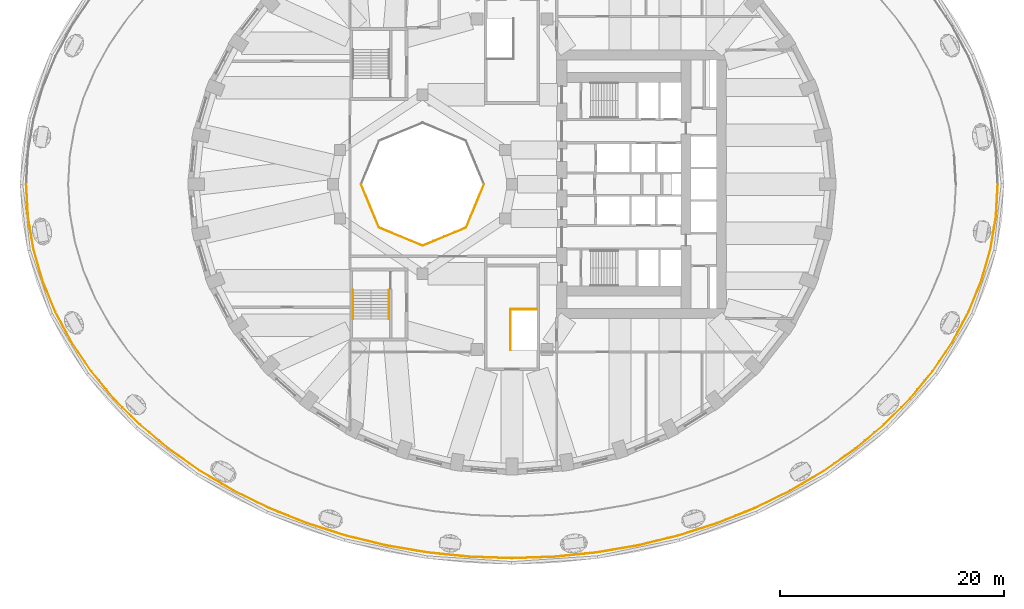
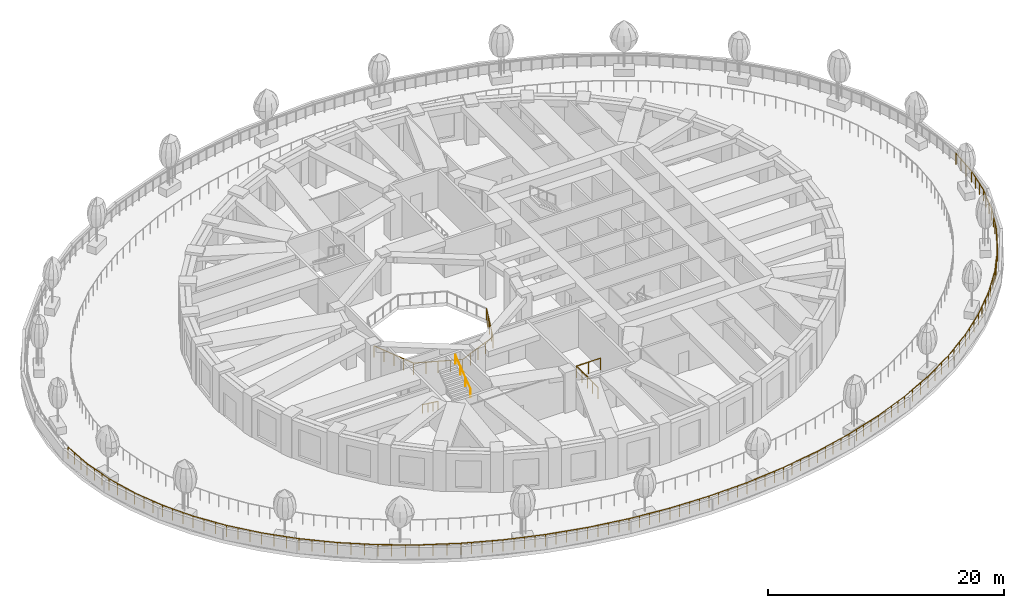
# One storey, part 10 of 17: 5 railings.
"""IFC4 building model written with IfcOpenShell, lengths in metres."""

from ifc_helpers import new_model, si_unit, direction, frame, origin, origin_2d, place, context, subcontext, project, spatial, circle, extrude, material, type_object, element, save


model = new_model("IFC4")

# Units and contexts
model_context = context("Model", 3, precision=1e-05, world=origin(), true_north=direction((0.0, 1.0)))
body_context = subcontext(model_context, "Body", "Model", "MODEL_VIEW")
ifc_project = project(units=[si_unit("LENGTHUNIT", "METRE"), si_unit("AREAUNIT", "SQUARE_METRE"), si_unit("VOLUMEUNIT", "CUBIC_METRE"), si_unit("PLANEANGLEUNIT", "RADIAN"), si_unit("MASSUNIT", "GRAM", prefix="KILO")], contexts=[model_context])

# Site, building, storey
site_placement = place(None, origin())
site = spatial("IfcSite", under=ifc_project, at=site_placement, CompositionType="ELEMENT")
building_placement = place(site_placement, origin())
building = spatial("IfcBuilding", under=site, at=building_placement, Name="Taillehof Tower", CompositionType="ELEMENT")
storey_placement = place(building_placement, frame((0.0, 0.0, 17.5)))
storey = spatial("IfcBuildingStorey", under=building, at=storey_placement, Name="L03", CompositionType="ELEMENT", Elevation=17.5)

# Railings
ifc_material_1 = material(Name="Stainless steel and laminated glass", Category="steel")
railing_type_1 = type_object("IfcRailingType", Name="Guard 1200 mm", PredefinedType="GUARDRAIL", material=ifc_material_1)
railing_1_placement = place(storey_placement, frame((-13.5, 0.0, 0.0)))
element("IfcRailing", 1, at=railing_1_placement, inside=storey, type_object=railing_type_1, Name="Guard atrium", PredefinedType="GUARDRAIL", context=body_context, shape_type="SweptSolid", body=[
    extrude(circle(Radius=0.02392578125, at=origin_2d()), frame((0.0, 0.0, 1.17578125), z_axis=(0.38266253946, -0.923888186359, 0.0), x_axis=(0.923888186359, 0.38266253946, 0.0)), (0.0, 0.0, 1.0), 4.20947265625),
    extrude(circle(Radius=0.02392578125, at=origin_2d()), frame((1.61083984375, -3.88916015625, 1.17578125), z_axis=(0.923888186359, -0.38266253946, 0.0), x_axis=(0.38266253946, 0.923888186359, 0.0)), (0.0, 0.0, 1.0), 4.20947265625),
    extrude(circle(Radius=0.02392578125, at=origin_2d()), frame((5.5, -5.5, 1.17578125), z_axis=(0.923888186359, 0.38266253946, 0.0), x_axis=(-0.38266253946, 0.923888186359, 0.0)), (0.0, 0.0, 1.0), 4.20947265625),
    extrude(circle(Radius=0.02392578125, at=origin_2d()), frame((9.38916015625, -3.88916015625, 1.17578125), z_axis=(0.38266253946, 0.923888186359, 0.0), x_axis=(-0.923888186359, 0.38266253946, 0.0)), (0.0, 0.0, 1.0), 4.20947265625),
    extrude(circle(Radius=0.02099609375, at=origin_2d()), origin(), (0.0, 0.0, 1.0), 1.15185546875),
    extrude(circle(Radius=0.02099609375, at=origin_2d()), frame((0.40283203125, -0.97216796875, 0.0)), (0.0, 0.0, 1.0), 1.15185546875),
    extrude(circle(Radius=0.02099609375, at=origin_2d()), frame((0.805419921875, -1.944580078125, 0.0)), (0.0, 0.0, 1.0), 1.15185546875),
    extrude(circle(Radius=0.02099609375, at=origin_2d()), frame((1.2080078125, -2.9169921875, 0.0)), (0.0, 0.0, 1.0), 1.15185546875),
    extrude(circle(Radius=0.02099609375, at=origin_2d()), frame((1.61083984375, -3.88916015625, 0.0)), (0.0, 0.0, 1.0), 1.15185546875),
    extrude(circle(Radius=0.02099609375, at=origin_2d()), frame((2.5830078125, -4.2919921875, 0.0)), (0.0, 0.0, 1.0), 1.15185546875),
    extrude(circle(Radius=0.02099609375, at=origin_2d()), frame((3.555419921875, -4.694580078125, 0.0)), (0.0, 0.0, 1.0), 1.15185546875),
    extrude(circle(Radius=0.02099609375, at=origin_2d()), frame((4.52783203125, -5.09716796875, 0.0)), (0.0, 0.0, 1.0), 1.15185546875),
    extrude(circle(Radius=0.02099609375, at=origin_2d()), frame((5.5, -5.5, 0.0)), (0.0, 0.0, 1.0), 1.15185546875),
    extrude(circle(Radius=0.02099609375, at=origin_2d()), frame((6.47216796875, -5.09716796875, 0.0)), (0.0, 0.0, 1.0), 1.15185546875),
    extrude(circle(Radius=0.02099609375, at=origin_2d()), frame((7.444580078125, -4.694580078125, 0.0)), (0.0, 0.0, 1.0), 1.15185546875),
    extrude(circle(Radius=0.02099609375, at=origin_2d()), frame((8.4169921875, -4.2919921875, 0.0)), (0.0, 0.0, 1.0), 1.15185546875),
    extrude(circle(Radius=0.02099609375, at=origin_2d()), frame((9.38916015625, -3.88916015625, 0.0)), (0.0, 0.0, 1.0), 1.15185546875),
    extrude(circle(Radius=0.02099609375, at=origin_2d()), frame((9.7919921875, -2.9169921875, 0.0)), (0.0, 0.0, 1.0), 1.15185546875),
    extrude(circle(Radius=0.02099609375, at=origin_2d()), frame((10.194580078125, -1.944580078125, 0.0)), (0.0, 0.0, 1.0), 1.15185546875),
    extrude(circle(Radius=0.02099609375, at=origin_2d()), frame((10.59716796875, -0.97216796875, 0.0)), (0.0, 0.0, 1.0), 1.15185546875),
    extrude(circle(Radius=0.02099609375, at=origin_2d()), frame((11.0, 0.0, 0.0)), (0.0, 0.0, 1.0), 1.15185546875),
])
railing_2_placement = place(storey_placement, frame((-0.125, -14.820068359375, 0.0)))
element("IfcRailing", 2, at=railing_2_placement, inside=storey, type_object=railing_type_1, Name="Guard P2", PredefinedType="GUARDRAIL", context=body_context, shape_type="SweptSolid", body=[
    extrude(circle(Radius=0.02392578125, at=origin_2d()), frame((0.0, 0.0, 1.17578125), z_axis=(0.0, 1.0, 0.0), x_axis=(-1.0, 0.0, 0.0)), (0.0, 0.0, 1.0), 3.64013671875),
    extrude(circle(Radius=0.02392578125, at=origin_2d()), frame((0.0, 3.64013671875, 1.17578125), z_axis=(1.0, 0.0, 0.0), x_axis=(0.0, 1.0, 0.0)), (0.0, 0.0, 1.0), 2.35009765625),
    extrude(circle(Radius=0.02099609375, at=origin_2d()), origin(), (0.0, 0.0, 1.0), 1.15185546875),
    extrude(circle(Radius=0.02099609375, at=origin_2d()), frame((0.0, 0.91015625, 0.0)), (0.0, 0.0, 1.0), 1.15185546875),
    extrude(circle(Radius=0.02099609375, at=origin_2d()), frame((0.0, 1.820068359375, 0.0)), (0.0, 0.0, 1.0), 1.15185546875),
    extrude(circle(Radius=0.02099609375, at=origin_2d()), frame((0.0, 2.72998046875, 0.0)), (0.0, 0.0, 1.0), 1.15185546875),
    extrude(circle(Radius=0.02099609375, at=origin_2d()), frame((0.0, 3.64013671875, 0.0)), (0.0, 0.0, 1.0), 1.15185546875),
    extrude(circle(Radius=0.02099609375, at=origin_2d()), frame((1.175048828125, 3.64013671875, 0.0)), (0.0, 0.0, 1.0), 1.15185546875),
    extrude(circle(Radius=0.02099609375, at=origin_2d()), frame((2.35009765625, 3.64013671875, 0.0)), (0.0, 0.0, 1.0), 1.15185546875),
])
ifc_material_2 = material(Name="Stainless steel", Category="steel")
railing_type_2 = type_object("IfcRailingType", Name="Stair handrail 900", PredefinedType="HANDRAIL", material=ifc_material_2)
railing_3_placement = place(storey_placement, frame((-14.199951171875, -9.449951171875, 0.19091796875)))
element("IfcRailing", 3, at=railing_3_placement, inside=storey, type_object=railing_type_2, Name="Stair S4 handrail", PredefinedType="HANDRAIL", context=body_context, shape_type="SweptSolid", body=[
    extrude(circle(Radius=0.02392578125, at=origin_2d()), frame((0.0, 0.0, 0.8759765625), z_axis=(0.0, -0.806043920681, 0.591855723918), x_axis=(1.0, 0.0, 0.0)), (0.0, 0.0, 1.0), 3.225830078125),
    extrude(circle(Radius=0.02099609375, at=origin_2d()), origin(), (0.0, 0.0, 1.0), 0.851806640625),
    extrude(circle(Radius=0.02099609375, at=origin_2d()), frame((0.0, -0.86669921875, 0.636474609375)), (0.0, 0.0, 1.0), 0.851806640625),
    extrude(circle(Radius=0.02099609375, at=origin_2d()), frame((0.0, -1.7333984375, 1.272705078125)), (0.0, 0.0, 1.0), 0.851806640625),
    extrude(circle(Radius=0.02099609375, at=origin_2d()), frame((0.0, -2.60009765625, 1.9091796875)), (0.0, 0.0, 1.0), 0.851806640625),
])
railing_4_placement = place(storey_placement, frame((-11.0, -12.050048828125, 2.291015625)))
element("IfcRailing", 4, at=railing_4_placement, inside=storey, type_object=railing_type_2, Name="Stair S4 handrail", PredefinedType="HANDRAIL", context=body_context, shape_type="SweptSolid", body=[
    extrude(circle(Radius=0.02392578125, at=origin_2d()), frame((0.0, 0.0, 0.8759765625), z_axis=(0.0, 0.806080027154, 0.591806547635), x_axis=(-1.0, 0.0, 0.0)), (0.0, 0.0, 1.0), 3.2255859375),
    extrude(circle(Radius=0.02099609375, at=origin_2d()), origin(), (0.0, 0.0, 1.0), 0.851806640625),
    extrude(circle(Radius=0.02099609375, at=origin_2d()), frame((0.0, 0.86669921875, 0.63623046875)), (0.0, 0.0, 1.0), 0.851806640625),
    extrude(circle(Radius=0.02099609375, at=origin_2d()), frame((0.0, 1.7333984375, 1.272705078125)), (0.0, 0.0, 1.0), 0.851806640625),
    extrude(circle(Radius=0.02099609375, at=origin_2d()), frame((0.0, 2.60009765625, 1.908935546875)), (0.0, 0.0, 1.0), 0.851806640625),
])
ifc_material_3 = material(Name="Stainless steel balustrade", Category="steel")
railing_type_3 = type_object("IfcRailingType", Name="Terrace guard 1200", PredefinedType="GUARDRAIL", material=ifc_material_3)
railing_5_placement = place(storey_placement, frame((-43.449951171875, 0.0, 0.0)))
element("IfcRailing", 5, at=railing_5_placement, inside=storey, type_object=railing_type_3, Name="Roof terrace guard", PredefinedType="GUARDRAIL", context=body_context, shape_type="SweptSolid", body=[
    extrude(circle(Radius=0.02392578125, at=origin_2d()), frame((0.0, 0.0, 1.17578125), z_axis=(0.056604518185, -0.998396678941, 0.0), x_axis=(0.998396678941, 0.056604518185, 0.0)), (0.0, 0.0, 1.0), 2.919921875),
    extrude(circle(Radius=0.02392578125, at=origin_2d()), frame((0.165283203125, -2.915283203125, 1.17578125), z_axis=(0.168592128928, -0.985685900307, 0.0), x_axis=(0.985685900307, 0.168592128928, 0.0)), (0.0, 0.0, 1.0), 2.935302734375),
    extrude(circle(Radius=0.02392578125, at=origin_2d()), frame((0.66015625, -5.80859375, 1.17578125), z_axis=(0.276700082454, -0.960956328024, 0.0), x_axis=(0.960956328024, 0.276700082454, 0.0)), (0.0, 0.0, 1.0), 2.964599609375),
    extrude(circle(Radius=0.02392578125, at=origin_2d()), frame((1.48046875, -8.657470703125, 1.17578125), z_axis=(0.379005788678, -0.925394300906, 0.0), x_axis=(0.925394300906, 0.379005788678, 0.0)), (0.0, 0.0, 1.0), 3.007568359375),
    extrude(circle(Radius=0.02392578125, at=origin_2d()), frame((2.620361328125, -11.440673828125, 1.17578125), z_axis=(0.473809688382, -0.880627264622, 0.0), x_axis=(0.880627264622, 0.473809688382, 0.0)), (0.0, 0.0, 1.0), 3.061279296875),
    extrude(circle(Radius=0.02392578125, at=origin_2d()), frame((4.07080078125, -14.136474609375, 1.17578125), z_axis=(0.560115441063, -0.828414565712, 0.0), x_axis=(0.828414565712, 0.560115441063, 0.0)), (0.0, 0.0, 1.0), 3.124755859375),
    extrude(circle(Radius=0.02392578125, at=origin_2d()), frame((5.821044921875, -16.72509765625, 1.17578125), z_axis=(0.637609943433, -0.770359370707, 0.0), x_axis=(0.770359370707, 0.637609943433, 0.0)), (0.0, 0.0, 1.0), 3.194580078125),
    extrude(circle(Radius=0.02392578125, at=origin_2d()), frame((7.85791015625, -19.18603515625, 1.17578125), z_axis=(0.705910705042, -0.708300837574, 0.0), x_axis=(0.708300837574, 0.705910705042, 0.0)), (0.0, 0.0, 1.0), 3.2685546875),
    extrude(circle(Radius=0.02392578125, at=origin_2d()), frame((10.165283203125, -21.501220703125, 1.17578125), z_axis=(0.765624333598, -0.643287944704, 0.0), x_axis=(0.643287944704, 0.765624333598, 0.0)), (0.0, 0.0, 1.0), 3.3447265625),
    extrude(circle(Radius=0.02392578125, at=origin_2d()), frame((12.72607421875, -23.65283203125, 1.17578125), z_axis=(0.817143897153, -0.576433735434, 0.0), x_axis=(0.576433735434, 0.817143897153, 0.0)), (0.0, 0.0, 1.0), 3.420166015625),
    extrude(circle(Radius=0.02392578125, at=origin_2d()), frame((15.520751953125, -25.624267578125, 1.17578125), z_axis=(0.861012792084, -0.508583298848, 0.0), x_axis=(0.508583298848, 0.861012792084, 0.0)), (0.0, 0.0, 1.0), 3.49267578125),
    extrude(circle(Radius=0.02392578125, at=origin_2d()), frame((18.528076171875, -27.400634765625, 1.17578125), z_axis=(0.897829307718, -0.440343654664, 0.0), x_axis=(0.440343654664, 0.897829307718, 0.0)), (0.0, 0.0, 1.0), 3.560546875),
    extrude(circle(Radius=0.02392578125, at=origin_2d()), frame((21.724853515625, -28.968505859375, 1.17578125), z_axis=(0.92823943797, -0.371983260104, 0.0), x_axis=(0.371983260104, 0.92823943797, 0.0)), (0.0, 0.0, 1.0), 3.622314453125),
    extrude(circle(Radius=0.02392578125, at=origin_2d()), frame((25.087158203125, -30.31591796875, 1.17578125), z_axis=(0.952733680398, -0.303806738298, 0.0), x_axis=(0.303806738298, 0.952733680398, 0.0)), (0.0, 0.0, 1.0), 3.67578125),
    extrude(circle(Radius=0.02392578125, at=origin_2d()), frame((28.589111328125, -31.4326171875, 1.17578125), z_axis=(0.971772190743, -0.235921192985, 0.0), x_axis=(0.235921192985, 0.971772190743, 0.0)), (0.0, 0.0, 1.0), 3.72021484375),
    extrude(circle(Radius=0.02392578125, at=origin_2d()), frame((32.204345703125, -32.310302734375, 1.17578125), z_axis=(0.985746685866, -0.168236355478, 0.0), x_axis=(0.168236355478, 0.985746685866, 0.0)), (0.0, 0.0, 1.0), 3.754150390625),
    extrude(circle(Radius=0.02392578125, at=origin_2d()), frame((35.905029296875, -32.94189453125, 1.17578125), z_axis=(0.994903841734, -0.100828298129, 0.0), x_axis=(0.100828298129, 0.994903841734, 0.0)), (0.0, 0.0, 1.0), 3.77734375),
    extrude(circle(Radius=0.02392578125, at=origin_2d()), frame((39.6630859375, -33.32275390625, 1.17578125), z_axis=(0.999436364215, -0.033570133825, 0.0), x_axis=(0.033570133825, 0.999436364215, 0.0)), (0.0, 0.0, 1.0), 3.7890625),
    extrude(circle(Radius=0.02392578125, at=origin_2d()), frame((43.449951171875, -33.449951171875, 1.17578125), z_axis=(0.999436364215, 0.033570133825, 0.0), x_axis=(-0.033570133825, 0.999436364215, 0.0)), (0.0, 0.0, 1.0), 3.7890625),
    extrude(circle(Radius=0.02392578125, at=origin_2d()), frame((47.23681640625, -33.32275390625, 1.17578125), z_axis=(0.994903841734, 0.100828298129, 0.0), x_axis=(-0.100828298129, 0.994903841734, 0.0)), (0.0, 0.0, 1.0), 3.77734375),
    extrude(circle(Radius=0.02392578125, at=origin_2d()), frame((50.994873046875, -32.94189453125, 1.17578125), z_axis=(0.985746685866, 0.168236355478, 0.0), x_axis=(-0.168236355478, 0.985746685866, 0.0)), (0.0, 0.0, 1.0), 3.754150390625),
    extrude(circle(Radius=0.02392578125, at=origin_2d()), frame((54.695556640625, -32.310302734375, 1.17578125), z_axis=(0.971772190743, 0.235921192985, 0.0), x_axis=(-0.235921192985, 0.971772190743, 0.0)), (0.0, 0.0, 1.0), 3.72021484375),
    extrude(circle(Radius=0.02392578125, at=origin_2d()), frame((58.310791015625, -31.4326171875, 1.17578125), z_axis=(0.952733680398, 0.303806738298, 0.0), x_axis=(-0.303806738298, 0.952733680398, 0.0)), (0.0, 0.0, 1.0), 3.67578125),
    extrude(circle(Radius=0.02392578125, at=origin_2d()), frame((61.812744140625, -30.31591796875, 1.17578125), z_axis=(0.92823943797, 0.371983260104, 0.0), x_axis=(-0.371983260104, 0.92823943797, 0.0)), (0.0, 0.0, 1.0), 3.622314453125),
    extrude(circle(Radius=0.02392578125, at=origin_2d()), frame((65.175048828125, -28.968505859375, 1.17578125), z_axis=(0.897829307718, 0.440343654664, 0.0), x_axis=(-0.440343654664, 0.897829307718, 0.0)), (0.0, 0.0, 1.0), 3.560546875),
    extrude(circle(Radius=0.02392578125, at=origin_2d()), frame((68.371826171875, -27.400634765625, 1.17578125), z_axis=(0.861012792084, 0.508583298848, 0.0), x_axis=(-0.508583298848, 0.861012792084, 0.0)), (0.0, 0.0, 1.0), 3.49267578125),
    extrude(circle(Radius=0.02392578125, at=origin_2d()), frame((71.379150390625, -25.624267578125, 1.17578125), z_axis=(0.817143897153, 0.576433735434, 0.0), x_axis=(-0.576433735434, 0.817143897153, 0.0)), (0.0, 0.0, 1.0), 3.420166015625),
    extrude(circle(Radius=0.02392578125, at=origin_2d()), frame((74.173828125, -23.65283203125, 1.17578125), z_axis=(0.765624333598, 0.643287944704, 0.0), x_axis=(-0.643287944704, 0.765624333598, 0.0)), (0.0, 0.0, 1.0), 3.3447265625),
    extrude(circle(Radius=0.02392578125, at=origin_2d()), frame((76.734619140625, -21.501220703125, 1.17578125), z_axis=(0.705910705042, 0.708300837574, 0.0), x_axis=(-0.708300837574, 0.705910705042, 0.0)), (0.0, 0.0, 1.0), 3.2685546875),
    extrude(circle(Radius=0.02392578125, at=origin_2d()), frame((79.0419921875, -19.18603515625, 1.17578125), z_axis=(0.637609943433, 0.770359370707, 0.0), x_axis=(-0.770359370707, 0.637609943433, 0.0)), (0.0, 0.0, 1.0), 3.194580078125),
    extrude(circle(Radius=0.02392578125, at=origin_2d()), frame((81.078857421875, -16.72509765625, 1.17578125), z_axis=(0.560115441063, 0.828414565712, 0.0), x_axis=(-0.828414565712, 0.560115441063, 0.0)), (0.0, 0.0, 1.0), 3.124755859375),
    extrude(circle(Radius=0.02392578125, at=origin_2d()), frame((82.8291015625, -14.136474609375, 1.17578125), z_axis=(0.473809688382, 0.880627264622, 0.0), x_axis=(-0.880627264622, 0.473809688382, 0.0)), (0.0, 0.0, 1.0), 3.061279296875),
    extrude(circle(Radius=0.02392578125, at=origin_2d()), frame((84.279541015625, -11.440673828125, 1.17578125), z_axis=(0.379005788678, 0.925394300906, 0.0), x_axis=(-0.925394300906, 0.379005788678, 0.0)), (0.0, 0.0, 1.0), 3.007568359375),
    extrude(circle(Radius=0.02392578125, at=origin_2d()), frame((85.41943359375, -8.657470703125, 1.17578125), z_axis=(0.276700082454, 0.960956328024, 0.0), x_axis=(-0.960956328024, 0.276700082454, 0.0)), (0.0, 0.0, 1.0), 2.964599609375),
    extrude(circle(Radius=0.02392578125, at=origin_2d()), frame((86.23974609375, -5.80859375, 1.17578125), z_axis=(0.168592128928, 0.985685900307, 0.0), x_axis=(-0.985685900307, 0.168592128928, 0.0)), (0.0, 0.0, 1.0), 2.935302734375),
    extrude(circle(Radius=0.02392578125, at=origin_2d()), frame((86.734619140625, -2.915283203125, 1.17578125), z_axis=(0.056604518185, 0.998396678941, 0.0), x_axis=(-0.998396678941, 0.056604518185, 0.0)), (0.0, 0.0, 1.0), 2.919921875),
    extrude(circle(Radius=0.02099609375, at=origin_2d()), origin(), (0.0, 0.0, 1.0), 1.15185546875),
    extrude(circle(Radius=0.02099609375, at=origin_2d()), frame((0.05517578125, -0.9716796875, 0.0)), (0.0, 0.0, 1.0), 1.15185546875),
    extrude(circle(Radius=0.02099609375, at=origin_2d()), frame((0.110107421875, -1.943603515625, 0.0)), (0.0, 0.0, 1.0), 1.15185546875),
    extrude(circle(Radius=0.02099609375, at=origin_2d()), frame((0.165283203125, -2.915283203125, 0.0)), (0.0, 0.0, 1.0), 1.15185546875),
    extrude(circle(Radius=0.02099609375, at=origin_2d()), frame((0.330322265625, -3.879638671875, 0.0)), (0.0, 0.0, 1.0), 1.15185546875),
    extrude(circle(Radius=0.02099609375, at=origin_2d()), frame((0.4951171875, -4.84423828125, 0.0)), (0.0, 0.0, 1.0), 1.15185546875),
    extrude(circle(Radius=0.02099609375, at=origin_2d()), frame((0.66015625, -5.80859375, 0.0)), (0.0, 0.0, 1.0), 1.15185546875),
    extrude(circle(Radius=0.02099609375, at=origin_2d()), frame((0.93359375, -6.75830078125, 0.0)), (0.0, 0.0, 1.0), 1.15185546875),
    extrude(circle(Radius=0.02099609375, at=origin_2d()), frame((1.20703125, -7.707763671875, 0.0)), (0.0, 0.0, 1.0), 1.15185546875),
    extrude(circle(Radius=0.02099609375, at=origin_2d()), frame((1.48046875, -8.657470703125, 0.0)), (0.0, 0.0, 1.0), 1.15185546875),
    extrude(circle(Radius=0.02099609375, at=origin_2d()), frame((1.8603515625, -9.585205078125, 0.0)), (0.0, 0.0, 1.0), 1.15185546875),
    extrude(circle(Radius=0.02099609375, at=origin_2d()), frame((2.240478515625, -10.512939453125, 0.0)), (0.0, 0.0, 1.0), 1.15185546875),
    extrude(circle(Radius=0.02099609375, at=origin_2d()), frame((2.620361328125, -11.440673828125, 0.0)), (0.0, 0.0, 1.0), 1.15185546875),
    extrude(circle(Radius=0.02099609375, at=origin_2d()), frame((3.103759765625, -12.33935546875, 0.0)), (0.0, 0.0, 1.0), 1.15185546875),
    extrude(circle(Radius=0.02099609375, at=origin_2d()), frame((3.58740234375, -13.23779296875, 0.0)), (0.0, 0.0, 1.0), 1.15185546875),
    extrude(circle(Radius=0.02099609375, at=origin_2d()), frame((4.07080078125, -14.136474609375, 0.0)), (0.0, 0.0, 1.0), 1.15185546875),
    extrude(circle(Radius=0.02099609375, at=origin_2d()), frame((4.654296875, -14.999267578125, 0.0)), (0.0, 0.0, 1.0), 1.15185546875),
    extrude(circle(Radius=0.02099609375, at=origin_2d()), frame((5.237548828125, -15.8623046875, 0.0)), (0.0, 0.0, 1.0), 1.15185546875),
    extrude(circle(Radius=0.02099609375, at=origin_2d()), frame((5.821044921875, -16.72509765625, 0.0)), (0.0, 0.0, 1.0), 1.15185546875),
    extrude(circle(Radius=0.02099609375, at=origin_2d()), frame((6.5, -17.54541015625, 0.0)), (0.0, 0.0, 1.0), 1.15185546875),
    extrude(circle(Radius=0.02099609375, at=origin_2d()), frame((7.178955078125, -18.36572265625, 0.0)), (0.0, 0.0, 1.0), 1.15185546875),
    extrude(circle(Radius=0.02099609375, at=origin_2d()), frame((7.85791015625, -19.18603515625, 0.0)), (0.0, 0.0, 1.0), 1.15185546875),
    extrude(circle(Radius=0.02099609375, at=origin_2d()), frame((8.626953125, -19.957763671875, 0.0)), (0.0, 0.0, 1.0), 1.15185546875),
    extrude(circle(Radius=0.02099609375, at=origin_2d()), frame((9.396240234375, -20.7294921875, 0.0)), (0.0, 0.0, 1.0), 1.15185546875),
    extrude(circle(Radius=0.02099609375, at=origin_2d()), frame((10.165283203125, -21.501220703125, 0.0)), (0.0, 0.0, 1.0), 1.15185546875),
    extrude(circle(Radius=0.02099609375, at=origin_2d()), frame((11.018798828125, -22.218505859375, 0.0)), (0.0, 0.0, 1.0), 1.15185546875),
    extrude(circle(Radius=0.02099609375, at=origin_2d()), frame((11.87255859375, -22.935546875, 0.0)), (0.0, 0.0, 1.0), 1.15185546875),
    extrude(circle(Radius=0.02099609375, at=origin_2d()), frame((12.72607421875, -23.65283203125, 0.0)), (0.0, 0.0, 1.0), 1.15185546875),
    extrude(circle(Radius=0.02099609375, at=origin_2d()), frame((13.65771484375, -24.31005859375, 0.0)), (0.0, 0.0, 1.0), 1.15185546875),
    extrude(circle(Radius=0.02099609375, at=origin_2d()), frame((14.589111328125, -24.967041015625, 0.0)), (0.0, 0.0, 1.0), 1.15185546875),
    extrude(circle(Radius=0.02099609375, at=origin_2d()), frame((15.520751953125, -25.624267578125, 0.0)), (0.0, 0.0, 1.0), 1.15185546875),
    extrude(circle(Radius=0.02099609375, at=origin_2d()), frame((16.523193359375, -26.21630859375, 0.0)), (0.0, 0.0, 1.0), 1.15185546875),
    extrude(circle(Radius=0.02099609375, at=origin_2d()), frame((17.525634765625, -26.80859375, 0.0)), (0.0, 0.0, 1.0), 1.15185546875),
    extrude(circle(Radius=0.02099609375, at=origin_2d()), frame((18.528076171875, -27.400634765625, 0.0)), (0.0, 0.0, 1.0), 1.15185546875),
    extrude(circle(Radius=0.02099609375, at=origin_2d()), frame((19.59375, -27.92333984375, 0.0)), (0.0, 0.0, 1.0), 1.15185546875),
    extrude(circle(Radius=0.02099609375, at=origin_2d()), frame((20.6591796875, -28.44580078125, 0.0)), (0.0, 0.0, 1.0), 1.15185546875),
    extrude(circle(Radius=0.02099609375, at=origin_2d()), frame((21.724853515625, -28.968505859375, 0.0)), (0.0, 0.0, 1.0), 1.15185546875),
    extrude(circle(Radius=0.02099609375, at=origin_2d()), frame((22.5654296875, -29.305419921875, 0.0)), (0.0, 0.0, 1.0), 1.15185546875),
    extrude(circle(Radius=0.02099609375, at=origin_2d()), frame((23.406005859375, -29.64208984375, 0.0)), (0.0, 0.0, 1.0), 1.15185546875),
    extrude(circle(Radius=0.02099609375, at=origin_2d()), frame((24.24658203125, -29.97900390625, 0.0)), (0.0, 0.0, 1.0), 1.15185546875),
    extrude(circle(Radius=0.02099609375, at=origin_2d()), frame((25.087158203125, -30.31591796875, 0.0)), (0.0, 0.0, 1.0), 1.15185546875),
    extrude(circle(Radius=0.02099609375, at=origin_2d()), frame((25.962646484375, -30.59521484375, 0.0)), (0.0, 0.0, 1.0), 1.15185546875),
    extrude(circle(Radius=0.02099609375, at=origin_2d()), frame((26.838134765625, -30.874267578125, 0.0)), (0.0, 0.0, 1.0), 1.15185546875),
    extrude(circle(Radius=0.02099609375, at=origin_2d()), frame((27.713623046875, -31.1533203125, 0.0)), (0.0, 0.0, 1.0), 1.15185546875),
    extrude(circle(Radius=0.02099609375, at=origin_2d()), frame((28.589111328125, -31.4326171875, 0.0)), (0.0, 0.0, 1.0), 1.15185546875),
    extrude(circle(Radius=0.02099609375, at=origin_2d()), frame((29.492919921875, -31.652099609375, 0.0)), (0.0, 0.0, 1.0), 1.15185546875),
    extrude(circle(Radius=0.02099609375, at=origin_2d()), frame((30.396728515625, -31.87158203125, 0.0)), (0.0, 0.0, 1.0), 1.15185546875),
    extrude(circle(Radius=0.02099609375, at=origin_2d()), frame((31.300537109375, -32.0908203125, 0.0)), (0.0, 0.0, 1.0), 1.15185546875),
    extrude(circle(Radius=0.02099609375, at=origin_2d()), frame((32.204345703125, -32.310302734375, 0.0)), (0.0, 0.0, 1.0), 1.15185546875),
    extrude(circle(Radius=0.02099609375, at=origin_2d()), frame((33.12939453125, -32.46826171875, 0.0)), (0.0, 0.0, 1.0), 1.15185546875),
    extrude(circle(Radius=0.02099609375, at=origin_2d()), frame((34.0546875, -32.6259765625, 0.0)), (0.0, 0.0, 1.0), 1.15185546875),
    extrude(circle(Radius=0.02099609375, at=origin_2d()), frame((34.97998046875, -32.783935546875, 0.0)), (0.0, 0.0, 1.0), 1.15185546875),
    extrude(circle(Radius=0.02099609375, at=origin_2d()), frame((35.905029296875, -32.94189453125, 0.0)), (0.0, 0.0, 1.0), 1.15185546875),
    extrude(circle(Radius=0.02099609375, at=origin_2d()), frame((36.844482421875, -33.037109375, 0.0)), (0.0, 0.0, 1.0), 1.15185546875),
    extrude(circle(Radius=0.02099609375, at=origin_2d()), frame((37.7841796875, -33.13232421875, 0.0)), (0.0, 0.0, 1.0), 1.15185546875),
    extrude(circle(Radius=0.02099609375, at=origin_2d()), frame((38.7236328125, -33.2275390625, 0.0)), (0.0, 0.0, 1.0), 1.15185546875),
    extrude(circle(Radius=0.02099609375, at=origin_2d()), frame((39.6630859375, -33.32275390625, 0.0)), (0.0, 0.0, 1.0), 1.15185546875),
    extrude(circle(Radius=0.02099609375, at=origin_2d()), frame((40.60986328125, -33.3544921875, 0.0)), (0.0, 0.0, 1.0), 1.15185546875),
    extrude(circle(Radius=0.02099609375, at=origin_2d()), frame((41.556640625, -33.38623046875, 0.0)), (0.0, 0.0, 1.0), 1.15185546875),
    extrude(circle(Radius=0.02099609375, at=origin_2d()), frame((42.503173828125, -33.418212890625, 0.0)), (0.0, 0.0, 1.0), 1.15185546875),
    extrude(circle(Radius=0.02099609375, at=origin_2d()), frame((43.449951171875, -33.449951171875, 0.0)), (0.0, 0.0, 1.0), 1.15185546875),
    extrude(circle(Radius=0.02099609375, at=origin_2d()), frame((44.396728515625, -33.418212890625, 0.0)), (0.0, 0.0, 1.0), 1.15185546875),
    extrude(circle(Radius=0.02099609375, at=origin_2d()), frame((45.34326171875, -33.38623046875, 0.0)), (0.0, 0.0, 1.0), 1.15185546875),
    extrude(circle(Radius=0.02099609375, at=origin_2d()), frame((46.2900390625, -33.3544921875, 0.0)), (0.0, 0.0, 1.0), 1.15185546875),
    extrude(circle(Radius=0.02099609375, at=origin_2d()), frame((47.23681640625, -33.32275390625, 0.0)), (0.0, 0.0, 1.0), 1.15185546875),
    extrude(circle(Radius=0.02099609375, at=origin_2d()), frame((48.17626953125, -33.2275390625, 0.0)), (0.0, 0.0, 1.0), 1.15185546875),
    extrude(circle(Radius=0.02099609375, at=origin_2d()), frame((49.11572265625, -33.13232421875, 0.0)), (0.0, 0.0, 1.0), 1.15185546875),
    extrude(circle(Radius=0.02099609375, at=origin_2d()), frame((50.055419921875, -33.037109375, 0.0)), (0.0, 0.0, 1.0), 1.15185546875),
    extrude(circle(Radius=0.02099609375, at=origin_2d()), frame((50.994873046875, -32.94189453125, 0.0)), (0.0, 0.0, 1.0), 1.15185546875),
    extrude(circle(Radius=0.02099609375, at=origin_2d()), frame((51.919921875, -32.783935546875, 0.0)), (0.0, 0.0, 1.0), 1.15185546875),
    extrude(circle(Radius=0.02099609375, at=origin_2d()), frame((52.84521484375, -32.6259765625, 0.0)), (0.0, 0.0, 1.0), 1.15185546875),
    extrude(circle(Radius=0.02099609375, at=origin_2d()), frame((53.7705078125, -32.46826171875, 0.0)), (0.0, 0.0, 1.0), 1.15185546875),
    extrude(circle(Radius=0.02099609375, at=origin_2d()), frame((54.695556640625, -32.310302734375, 0.0)), (0.0, 0.0, 1.0), 1.15185546875),
    extrude(circle(Radius=0.02099609375, at=origin_2d()), frame((55.599365234375, -32.0908203125, 0.0)), (0.0, 0.0, 1.0), 1.15185546875),
    extrude(circle(Radius=0.02099609375, at=origin_2d()), frame((56.503173828125, -31.87158203125, 0.0)), (0.0, 0.0, 1.0), 1.15185546875),
    extrude(circle(Radius=0.02099609375, at=origin_2d()), frame((57.406982421875, -31.652099609375, 0.0)), (0.0, 0.0, 1.0), 1.15185546875),
    extrude(circle(Radius=0.02099609375, at=origin_2d()), frame((58.310791015625, -31.4326171875, 0.0)), (0.0, 0.0, 1.0), 1.15185546875),
    extrude(circle(Radius=0.02099609375, at=origin_2d()), frame((59.186279296875, -31.1533203125, 0.0)), (0.0, 0.0, 1.0), 1.15185546875),
    extrude(circle(Radius=0.02099609375, at=origin_2d()), frame((60.061767578125, -30.874267578125, 0.0)), (0.0, 0.0, 1.0), 1.15185546875),
    extrude(circle(Radius=0.02099609375, at=origin_2d()), frame((60.937255859375, -30.59521484375, 0.0)), (0.0, 0.0, 1.0), 1.15185546875),
    extrude(circle(Radius=0.02099609375, at=origin_2d()), frame((61.812744140625, -30.31591796875, 0.0)), (0.0, 0.0, 1.0), 1.15185546875),
    extrude(circle(Radius=0.02099609375, at=origin_2d()), frame((62.6533203125, -29.97900390625, 0.0)), (0.0, 0.0, 1.0), 1.15185546875),
    extrude(circle(Radius=0.02099609375, at=origin_2d()), frame((63.493896484375, -29.64208984375, 0.0)), (0.0, 0.0, 1.0), 1.15185546875),
    extrude(circle(Radius=0.02099609375, at=origin_2d()), frame((64.33447265625, -29.305419921875, 0.0)), (0.0, 0.0, 1.0), 1.15185546875),
    extrude(circle(Radius=0.02099609375, at=origin_2d()), frame((65.175048828125, -28.968505859375, 0.0)), (0.0, 0.0, 1.0), 1.15185546875),
    extrude(circle(Radius=0.02099609375, at=origin_2d()), frame((66.24072265625, -28.44580078125, 0.0)), (0.0, 0.0, 1.0), 1.15185546875),
    extrude(circle(Radius=0.02099609375, at=origin_2d()), frame((67.30615234375, -27.92333984375, 0.0)), (0.0, 0.0, 1.0), 1.15185546875),
    extrude(circle(Radius=0.02099609375, at=origin_2d()), frame((68.371826171875, -27.400634765625, 0.0)), (0.0, 0.0, 1.0), 1.15185546875),
    extrude(circle(Radius=0.02099609375, at=origin_2d()), frame((69.374267578125, -26.80859375, 0.0)), (0.0, 0.0, 1.0), 1.15185546875),
    extrude(circle(Radius=0.02099609375, at=origin_2d()), frame((70.376708984375, -26.21630859375, 0.0)), (0.0, 0.0, 1.0), 1.15185546875),
    extrude(circle(Radius=0.02099609375, at=origin_2d()), frame((71.379150390625, -25.624267578125, 0.0)), (0.0, 0.0, 1.0), 1.15185546875),
    extrude(circle(Radius=0.02099609375, at=origin_2d()), frame((72.310791015625, -24.967041015625, 0.0)), (0.0, 0.0, 1.0), 1.15185546875),
    extrude(circle(Radius=0.02099609375, at=origin_2d()), frame((73.2421875, -24.31005859375, 0.0)), (0.0, 0.0, 1.0), 1.15185546875),
    extrude(circle(Radius=0.02099609375, at=origin_2d()), frame((74.173828125, -23.65283203125, 0.0)), (0.0, 0.0, 1.0), 1.15185546875),
    extrude(circle(Radius=0.02099609375, at=origin_2d()), frame((75.02734375, -22.935546875, 0.0)), (0.0, 0.0, 1.0), 1.15185546875),
    extrude(circle(Radius=0.02099609375, at=origin_2d()), frame((75.881103515625, -22.218505859375, 0.0)), (0.0, 0.0, 1.0), 1.15185546875),
    extrude(circle(Radius=0.02099609375, at=origin_2d()), frame((76.734619140625, -21.501220703125, 0.0)), (0.0, 0.0, 1.0), 1.15185546875),
    extrude(circle(Radius=0.02099609375, at=origin_2d()), frame((77.503662109375, -20.7294921875, 0.0)), (0.0, 0.0, 1.0), 1.15185546875),
    extrude(circle(Radius=0.02099609375, at=origin_2d()), frame((78.27294921875, -19.957763671875, 0.0)), (0.0, 0.0, 1.0), 1.15185546875),
    extrude(circle(Radius=0.02099609375, at=origin_2d()), frame((79.0419921875, -19.18603515625, 0.0)), (0.0, 0.0, 1.0), 1.15185546875),
    extrude(circle(Radius=0.02099609375, at=origin_2d()), frame((79.720947265625, -18.36572265625, 0.0)), (0.0, 0.0, 1.0), 1.15185546875),
    extrude(circle(Radius=0.02099609375, at=origin_2d()), frame((80.39990234375, -17.54541015625, 0.0)), (0.0, 0.0, 1.0), 1.15185546875),
    extrude(circle(Radius=0.02099609375, at=origin_2d()), frame((81.078857421875, -16.72509765625, 0.0)), (0.0, 0.0, 1.0), 1.15185546875),
    extrude(circle(Radius=0.02099609375, at=origin_2d()), frame((81.662353515625, -15.8623046875, 0.0)), (0.0, 0.0, 1.0), 1.15185546875),
    extrude(circle(Radius=0.02099609375, at=origin_2d()), frame((82.24560546875, -14.999267578125, 0.0)), (0.0, 0.0, 1.0), 1.15185546875),
    extrude(circle(Radius=0.02099609375, at=origin_2d()), frame((82.8291015625, -14.136474609375, 0.0)), (0.0, 0.0, 1.0), 1.15185546875),
    extrude(circle(Radius=0.02099609375, at=origin_2d()), frame((83.3125, -13.23779296875, 0.0)), (0.0, 0.0, 1.0), 1.15185546875),
    extrude(circle(Radius=0.02099609375, at=origin_2d()), frame((83.796142578125, -12.33935546875, 0.0)), (0.0, 0.0, 1.0), 1.15185546875),
    extrude(circle(Radius=0.02099609375, at=origin_2d()), frame((84.279541015625, -11.440673828125, 0.0)), (0.0, 0.0, 1.0), 1.15185546875),
    extrude(circle(Radius=0.02099609375, at=origin_2d()), frame((84.659423828125, -10.512939453125, 0.0)), (0.0, 0.0, 1.0), 1.15185546875),
    extrude(circle(Radius=0.02099609375, at=origin_2d()), frame((85.03955078125, -9.585205078125, 0.0)), (0.0, 0.0, 1.0), 1.15185546875),
    extrude(circle(Radius=0.02099609375, at=origin_2d()), frame((85.41943359375, -8.657470703125, 0.0)), (0.0, 0.0, 1.0), 1.15185546875),
    extrude(circle(Radius=0.02099609375, at=origin_2d()), frame((85.69287109375, -7.707763671875, 0.0)), (0.0, 0.0, 1.0), 1.15185546875),
    extrude(circle(Radius=0.02099609375, at=origin_2d()), frame((85.96630859375, -6.75830078125, 0.0)), (0.0, 0.0, 1.0), 1.15185546875),
    extrude(circle(Radius=0.02099609375, at=origin_2d()), frame((86.23974609375, -5.80859375, 0.0)), (0.0, 0.0, 1.0), 1.15185546875),
    extrude(circle(Radius=0.02099609375, at=origin_2d()), frame((86.40478515625, -4.84423828125, 0.0)), (0.0, 0.0, 1.0), 1.15185546875),
    extrude(circle(Radius=0.02099609375, at=origin_2d()), frame((86.569580078125, -3.879638671875, 0.0)), (0.0, 0.0, 1.0), 1.15185546875),
    extrude(circle(Radius=0.02099609375, at=origin_2d()), frame((86.734619140625, -2.915283203125, 0.0)), (0.0, 0.0, 1.0), 1.15185546875),
    extrude(circle(Radius=0.02099609375, at=origin_2d()), frame((86.789794921875, -1.943603515625, 0.0)), (0.0, 0.0, 1.0), 1.15185546875),
    extrude(circle(Radius=0.02099609375, at=origin_2d()), frame((86.8447265625, -0.9716796875, 0.0)), (0.0, 0.0, 1.0), 1.15185546875),
    extrude(circle(Radius=0.02099609375, at=origin_2d()), frame((86.89990234375, 0.0, 0.0)), (0.0, 0.0, 1.0), 1.15185546875),
])

save(model, "model.ifc")
